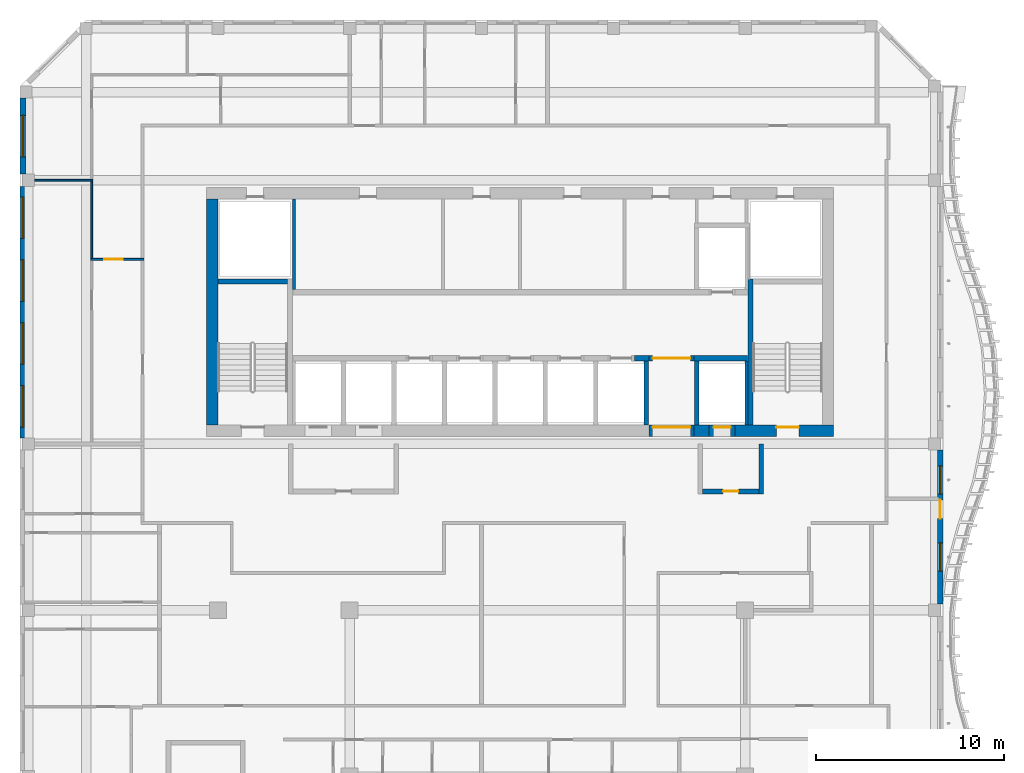
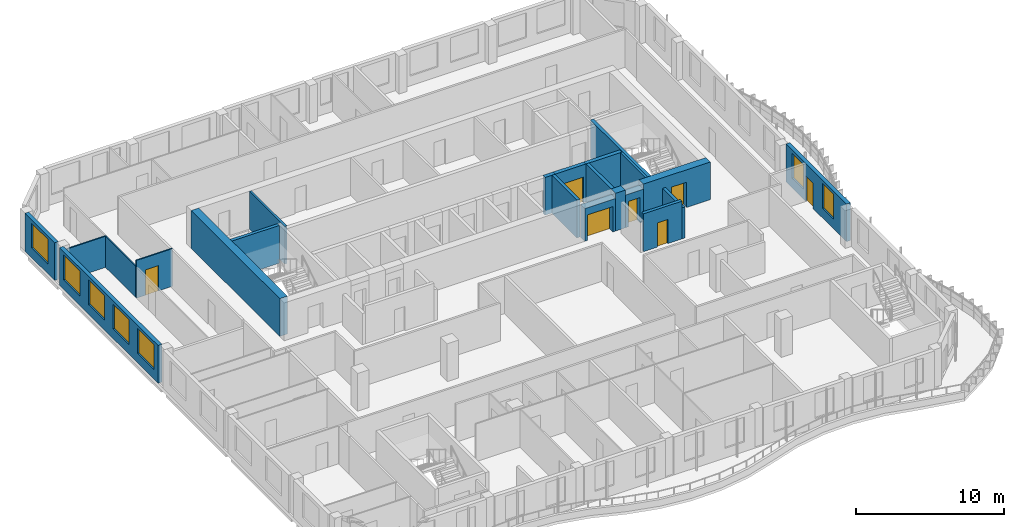
# One storey, part 6 of 18: 22 walls, 7 doors, 7 windows, 14 openings.
"""IFC4 building model written with IfcOpenShell, lengths in metres."""

import ifcopenshell
import ifcopenshell.guid

model = None  # the IFC model being written
_history = None  # IfcOwnerHistory: only IFC2X3 demands one
_inside = {}  # id of a spatial element -> (the spatial element, [elements in it])
_under = {}  # id of a project, library or spatial element -> (it, [spatial elements below it])
_declared = {}  # id of a project -> (the project, [libraries it declares])
_typed = {}  # id of a type object -> (the type object, [elements of that type])
_made_of = {}  # id of a material, layer set ... -> (it, [elements and type objects made of it])


def new_model(schema):
    """Start an empty IFC model of exactly this schema.

    Asked for "IFC4X3", IfcOpenShell would pick the latest addendum, in which some entities
    have other attributes; the version numbers below select the first issue.
    IFC2X3 requires an IfcOwnerHistory on every rooted entity: one is made here for all.
    """
    global model, _history
    if schema == "IFC4X3":
        model = ifcopenshell.file(schema_version=(4, 3, 0, 0))
    else:
        model = ifcopenshell.file(schema=schema)
    _inside.clear()
    _under.clear()
    _declared.clear()
    _typed.clear()
    _made_of.clear()
    _history = None
    if model.schema == "IFC2X3":
        org = make("IfcOrganization", Name="unknown")
        user = make(
            "IfcPersonAndOrganization",
            ThePerson=make("IfcPerson", FamilyName="unknown"),
            TheOrganization=org,
        )
        app = make(
            "IfcApplication",
            ApplicationDeveloper=org,
            Version="unknown",
            ApplicationFullName="unknown",
            ApplicationIdentifier="unknown",
        )
        _history = make(
            "IfcOwnerHistory",
            OwningUser=user,
            OwningApplication=app,
            ChangeAction="ADDED",
            CreationDate=0,
        )
    return model


def make(cls, **values):
    """One entity of the class cls with the attributes given. An attribute that is None is left unset."""
    return model.create_entity(
        cls, **{name: value for name, value in values.items() if value is not None}
    )


def rooted(cls, **values):
    """An entity with a GlobalId (a new one), such as an element, a storey or a relation."""
    return make(cls, GlobalId=ifcopenshell.guid.new(), OwnerHistory=_history, **values)


def si_unit(unit_type, name, prefix=None):
    """IfcSIUnit, for example si_unit("LENGTHUNIT", "METRE", prefix="MILLI")."""
    return make("IfcSIUnit", UnitType=unit_type, Prefix=prefix, Name=name)


def assignment(units):
    """IfcUnitAssignment: the units of a project."""
    return None if units is None else make("IfcUnitAssignment", Units=units)


def point(xyz):
    """IfcCartesianPoint."""
    return None if xyz is None else make("IfcCartesianPoint", Coordinates=xyz)


def direction(xyz):
    """IfcDirection."""
    return None if xyz is None else make("IfcDirection", DirectionRatios=xyz)


def frame(location, z_axis=None, x_axis=None):
    """IfcAxis2Placement3D, a coordinate frame: its origin and axes. An axis left out is left unset."""
    return make(
        "IfcAxis2Placement3D",
        Location=point(location),
        Axis=direction(z_axis),
        RefDirection=direction(x_axis),
    )


def frame_2d(location, x_axis=None):
    """IfcAxis2Placement2D, a coordinate frame in the plane: its origin and x axis."""
    return make(
        "IfcAxis2Placement2D", Location=point(location), RefDirection=direction(x_axis)
    )


def origin():
    """The frame at (0, 0, 0) with its axes left unset."""
    return frame((0.0, 0.0, 0.0))


def place(relative_to, where):
    """IfcLocalPlacement: puts the frame where relative to a parent placement (None: the world)."""
    return make(
        "IfcLocalPlacement", PlacementRelTo=relative_to, RelativePlacement=where
    )


def context(
    kind, dimensions, precision=None, world=None, true_north=None, identifier=None
):
    """IfcGeometricRepresentationContext, for example the 3D "Model" context."""
    return make(
        "IfcGeometricRepresentationContext",
        ContextIdentifier=identifier,
        ContextType=kind,
        CoordinateSpaceDimension=dimensions,
        Precision=precision,
        WorldCoordinateSystem=world,
        TrueNorth=true_north,
    )


def subcontext(parent, identifier, kind, view, scale=None):
    """IfcGeometricRepresentationSubContext, for example "Body" below "Model"."""
    return make(
        "IfcGeometricRepresentationSubContext",
        ContextIdentifier=identifier,
        ContextType=kind,
        ParentContext=parent,
        TargetScale=scale,
        TargetView=view,
    )


def project(units=None, contexts=None):
    """IfcProject with its units and contexts."""
    return rooted(
        "IfcProject",
        Name="project",
        RepresentationContexts=contexts,
        UnitsInContext=assignment(units),
    )


def spatial(cls, under=None, at=None, **own):
    """A site, building, storey or space (cls), placed at a placement, below another one or the project."""
    s = rooted(cls, ObjectPlacement=at, **own)
    if under is not None:
        _under.setdefault(under.id(), (under, []))[1].append(s)
    return s


def profile(cls, at=None, kind="AREA", **sizes):
    """A parametric profile (cls). Its sizes go by their IFC names, for example OverallWidth=200.0."""
    return make(cls, ProfileType=kind, Position=at, **sizes)


def rectangle(**sizes):
    """IfcRectangleProfileDef."""
    return profile("IfcRectangleProfileDef", **sizes)


def extrude(swept, where, along, depth):
    """IfcExtrudedAreaSolid: the profile swept, set in the frame where, extruded along a direction by depth."""
    return make(
        "IfcExtrudedAreaSolid",
        SweptArea=swept,
        Position=where,
        ExtrudedDirection=direction(along),
        Depth=depth,
    )


def shape(context_of_items, identifier, shape_type, items):
    """IfcShapeRepresentation: the items that make up one representation, for example the "Body"."""
    return make(
        "IfcShapeRepresentation",
        ContextOfItems=context_of_items,
        RepresentationIdentifier=identifier,
        RepresentationType=shape_type,
        Items=items,
    )


def source(mapping_origin, context_of_items, identifier, shape_type, items):
    """IfcRepresentationMap: a shape defined once, which mapped items show again and again."""
    return make(
        "IfcRepresentationMap",
        MappingOrigin=mapping_origin,
        MappedRepresentation=shape(context_of_items, identifier, shape_type, items),
    )


def transform(
    local_origin,
    x_axis=None,
    y_axis=None,
    z_axis=None,
    scale=None,
    scale2=None,
    scale3=None,
    uniform=True,
):
    """IfcCartesianTransformationOperator3D, or its non-uniform kind. x_axis, y_axis, z_axis: its Axis1, 2, 3."""
    if uniform:
        return make(
            "IfcCartesianTransformationOperator3D",
            Axis1=direction(x_axis),
            Axis2=direction(y_axis),
            LocalOrigin=point(local_origin),
            Scale=scale,
            Axis3=direction(z_axis),
        )
    return make(
        "IfcCartesianTransformationOperator3DnonUniform",
        Axis1=direction(x_axis),
        Axis2=direction(y_axis),
        LocalOrigin=point(local_origin),
        Scale=scale,
        Axis3=direction(z_axis),
        Scale2=scale2,
        Scale3=scale3,
    )


def mapped(mapping_source, mapping_target):
    """IfcMappedItem: shows the shape of a source again, moved by a transform."""
    return make(
        "IfcMappedItem", MappingSource=mapping_source, MappingTarget=mapping_target
    )


def material(Name=None, Category=None):
    """IfcMaterial."""
    return make("IfcMaterial", Name=Name, Category=Category)


def layer(
    of_material, thickness, ventilated=None, Name=None, Category=None, Priority=None
):
    """IfcMaterialLayer: one layer of a wall or slab, of a material (None: an air gap)."""
    return make(
        "IfcMaterialLayer",
        Material=of_material,
        LayerThickness=thickness,
        IsVentilated=ventilated,
        Name=Name,
        Category=Category,
        Priority=Priority,
    )


def layer_set(layers, Name=None):
    """IfcMaterialLayerSet."""
    return make("IfcMaterialLayerSet", MaterialLayers=layers, LayerSetName=Name)


def made_of(thing, what):
    """Note that an element or type object is made of a material, layer set ...; save() writes the relation."""
    if what is not None:
        _made_of.setdefault(what.id(), (what, []))[1].append(thing)
    return thing


def type_object(cls, material=None, **own):
    """A type object (cls), such as IfcWallType, which elements share."""
    return made_of(rooted(cls, **own), material)


def element(
    cls,
    number,
    at=None,
    inside=None,
    cuts=None,
    type_object=None,
    material=None,
    context=None,
    identifier="Body",
    shape_type=None,
    held_by="IfcProductDefinitionShape",
    body=None,
    shapes=None,
    **own,
):
    """One element of the class cls, such as IfcWall. Its Tag is "e" and its number.

    at: its placement. inside: the storey or other place that contains it. cuts: it is an
    opening in that element (IfcRelVoidsElement). A single representation is given by context,
    identifier, shape_type and body (its items); several are given by shapes. held_by: the class
    of the entity that holds the representations. save() writes the other relations.
    """
    e = rooted(cls, Tag="e%d" % number, ObjectPlacement=at, **own)
    if body is not None:
        shapes = [shape(context, identifier, shape_type, body)]
    if shapes is not None:
        e.Representation = make(held_by, Representations=shapes)
    if inside is not None:
        _inside.setdefault(inside.id(), (inside, []))[1].append(e)
    if cuts is not None:
        rooted(
            "IfcRelVoidsElement", RelatingBuildingElement=cuts, RelatedOpeningElement=e
        )
    if type_object is not None:
        _typed.setdefault(type_object.id(), (type_object, []))[1].append(e)
    return made_of(e, material)


def fill(opening, filler):
    """IfcRelFillsElement: the door or window that sits in an opening."""
    return rooted(
        "IfcRelFillsElement",
        RelatingOpeningElement=opening,
        RelatedBuildingElement=filler,
    )


def aggregate(whole, parts):
    """IfcRelAggregates: a whole, such as a stair, and the parts it consists of."""
    return rooted("IfcRelAggregates", RelatingObject=whole, RelatedObjects=parts)


def save(model, path):
    """Write the relations noted so far, then the file.

    IfcRelAggregates (storeys below a building ...), IfcRelContainedInSpatialStructure (elements
    in a storey), IfcRelDefinesByType, IfcRelAssociatesMaterial and IfcRelDeclares: one each for
    every whole, place, type object, material and project.
    """
    for whole, parts in _under.values():
        aggregate(whole, parts)
    for where, things in _inside.values():
        rooted(
            "IfcRelContainedInSpatialStructure",
            RelatedElements=things,
            RelatingStructure=where,
        )
    for kind, things in _typed.values():
        rooted("IfcRelDefinesByType", RelatedObjects=things, RelatingType=kind)
    for what, things in _made_of.values():
        rooted("IfcRelAssociatesMaterial", RelatedObjects=things, RelatingMaterial=what)
    for by, libraries in _declared.values():
        rooted("IfcRelDeclares", RelatingContext=by, RelatedDefinitions=libraries)
    model.write(path)


model = new_model("IFC4")

# Units and contexts
model_context = context("Model", 3, precision=1e-05, world=origin(), true_north=direction((0.0, 1.0)))
body_context = subcontext(model_context, "Body", "Model", "MODEL_VIEW")
ifc_project = project(units=[si_unit("LENGTHUNIT", "METRE"), si_unit("AREAUNIT", "SQUARE_METRE"), si_unit("VOLUMEUNIT", "CUBIC_METRE"), si_unit("PLANEANGLEUNIT", "RADIAN"), si_unit("MASSUNIT", "GRAM", prefix="KILO")], contexts=[model_context])

# Site, building, storey
site_placement = place(None, origin())
site = spatial("IfcSite", under=ifc_project, at=site_placement, CompositionType="ELEMENT")
building_placement = place(site_placement, origin())
building = spatial("IfcBuilding", under=site, at=building_placement, Name="Kilnfold Tower and Market Hall", CompositionType="ELEMENT")
storey_placement = place(building_placement, frame((0.0, 0.0, 280.60009765625)))
storey = spatial("IfcBuildingStorey", under=building, at=storey_placement, Name="L69", CompositionType="ELEMENT", Elevation=280.60009765625)

# Wall, opening, door
ifc_material_1 = material(Name="Gypsum board on steel studs", Category="steel")
ifc_layer_1 = layer(ifc_material_1, 0.10009765625)
ifc_layer_set_1 = layer_set([ifc_layer_1], Name="Gypsum board on steel studs")
wall_type_1 = type_object("IfcWallType", Name="WALL PARTITION 100", PredefinedType="PARTITIONING", material=ifc_layer_set_1)
wall_1_placement = place(storey_placement, frame((-18.927001953125, 17.800048828125, 0.0), z_axis=(0.0, 0.0, 1.0), x_axis=(-1.0, 0.0, 0.0)))
wall_1 = element("IfcWall", 1, at=wall_1_placement, inside=storey, type_object=wall_type_1, Name="Partition LY42.71", PredefinedType="PARTITIONING", context=body_context, shape_type="SweptSolid", body=[
    extrude(rectangle(XDim=2.822998046875, YDim=0.10009765625, at=frame_2d((1.41162109375, 0.0))), origin(), (0.0, 0.0, 1.0), 3.119873046875),
])
opening_1_placement = place(wall_1_placement, frame((1.114990234375, 0.0, 0.0)))
opening_1 = element("IfcOpeningElement", 2, at=opening_1_placement, cuts=wall_1, Name="Opening D1", PredefinedType="OPENING", context=body_context, shape_type="SweptSolid", body=[
    extrude(rectangle(XDim=1.0, YDim=2.10009765625, at=frame_2d((0.5, 1.050048828125))), frame((0.0, 0.06005859375, 0.0), z_axis=(0.0, -1.0, 0.0), x_axis=(1.0, 0.0, 0.0)), (0.0, 0.0, 1.0), 0.1201171875),
])
ifc_material_2 = material(Name="Timber veneer door leaf in steel frame", Category="steel")
door_type_1 = type_object("IfcDoorType", Name="DOOR ENTRY 1000 X2100", OperationType="NOTDEFINED", PredefinedType="DOOR", material=ifc_material_2)
door_1_placement = place(opening_1_placement, origin())
door_1 = element("IfcDoor", 3, at=door_1_placement, inside=storey, type_object=door_type_1, Name="Door D1", OperationType="SINGLE_SWING_RIGHT", OverallHeight=2.10009765625, OverallWidth=1.0, PredefinedType="DOOR", context=body_context, shape_type="SweptSolid", body=[
    extrude(rectangle(XDim=1.0, YDim=2.10009765625, at=frame_2d((0.5, 1.050048828125))), frame((0.0, 0.02490234375, 0.0), z_axis=(0.0, -1.0, 0.0), x_axis=(1.0, 0.0, 0.0)), (0.0, 0.0, 1.0), 0.050048828125),
])
fill(opening_1, door_1)

# Walls
wall_2_placement = place(storey_placement, frame((-21.699951171875, 17.85009765625, 0.0), z_axis=(0.0, 0.0, 1.0), x_axis=(0.0, 1.0, 0.0)))
element("IfcWall", 4, at=wall_2_placement, inside=storey, type_object=wall_type_1, Name="Partition LY42.74", PredefinedType="PARTITIONING", context=body_context, shape_type="SweptSolid", body=[
    extrude(rectangle(XDim=4.10986328125, YDim=0.10009765625, at=frame_2d((2.054931640625, 0.0))), origin(), (0.0, 0.0, 1.0), 2.56982421875),
])
wall_3_placement = place(storey_placement, frame((-21.652099609375, 22.0, 0.0), z_axis=(0.0, 0.0, 1.0), x_axis=(-1.0, 0.0, 0.0)))
element("IfcWall", 5, at=wall_3_placement, inside=storey, type_object=wall_type_1, Name="Partition LY42.77", PredefinedType="PARTITIONING", context=body_context, shape_type="SweptSolid", body=[
    extrude(rectangle(XDim=3.072998046875, YDim=0.10009765625, at=frame_2d((1.53662109375, 0.0))), origin(), (0.0, 0.0, 1.0), 2.56982421875),
])
ifc_material_3 = material(Name="Concrete C50", Category="concrete")
ifc_layer_2 = layer(ifc_material_3, 0.25)
ifc_layer_set_2 = layer_set([ifc_layer_2], Name="Concrete C50")
wall_type_2 = type_object("IfcWallType", Name="CORE WALL 250 C50", PredefinedType="SHEAR", material=ifc_layer_set_2)
shared_shape_1 = source(origin(), body_context, "Body", "SweptSolid", [
    extrude(rectangle(XDim=7.75, YDim=0.25, at=frame_2d((3.875, 0.0))), origin(), (0.0, 0.0, 1.0), 3.119873046875),
])
wall_4_placement = place(storey_placement, frame((13.27490234375, 9.0, 0.0), z_axis=(0.0, 0.0, 1.0), x_axis=(0.0, 1.0, 0.0)))
element("IfcWall", 6, at=wall_4_placement, inside=storey, type_object=wall_type_2, Name="Stair enclosure ST2", PredefinedType="SHEAR", context=body_context, shape_type="MappedRepresentation", body=[
    mapped(shared_shape_1, transform((0.0, 0.0, 0.0))),
])
shared_shape_2 = source(origin(), body_context, "Body", "SweptSolid", [
    extrude(rectangle(XDim=3.699951171875, YDim=0.25, at=frame_2d((1.85009765625, 0.0))), origin(), (0.0, 0.0, 1.0), 3.119873046875),
])
wall_5_placement = place(storey_placement, frame((-15.0, 16.625, 0.0), z_axis=(0.0, 0.0, 1.0), x_axis=(1.0, 0.0, 0.0)))
element("IfcWall", 7, at=wall_5_placement, inside=storey, type_object=wall_type_2, Name="Stair enclosure ST1", PredefinedType="SHEAR", context=body_context, shape_type="MappedRepresentation", body=[
    mapped(shared_shape_2, transform((0.0, 0.0, 0.0))),
])
ifc_material_4 = material(Name="Concrete C50", Category="concrete")
ifc_layer_3 = layer(ifc_material_4, 0.300048828125)
ifc_layer_set_3 = layer_set([ifc_layer_3], Name="Concrete C50")
wall_type_3 = type_object("IfcWallType", Name="CORE WALL 300 C50", PredefinedType="SHEAR", material=ifc_layer_set_3)
shared_shape_3 = source(origin(), body_context, "Body", "SweptSolid", [
    extrude(rectangle(XDim=0.77978515625, YDim=0.300048828125, at=frame_2d((0.389892578125, 0.0))), origin(), (0.0, 0.0, 1.0), 3.119873046875),
])
wall_6_placement = place(storey_placement, frame((7.110107421875, 12.550048828125, 0.0), z_axis=(0.0, 0.0, 1.0), x_axis=(1.0, 0.0, 0.0)))
element("IfcWall", 8, at=wall_6_placement, inside=storey, type_object=wall_type_3, Name="Core spine wall", PredefinedType="SHEAR", context=body_context, shape_type="MappedRepresentation", body=[
    mapped(shared_shape_3, transform((0.0, 0.0, 0.0))),
])
shared_shape_4 = source(origin(), body_context, "Body", "SweptSolid", [
    extrude(rectangle(XDim=2.820068359375, YDim=0.300048828125, at=frame_2d((1.41015625, 0.0))), origin(), (0.0, 0.0, 1.0), 3.119873046875),
])
wall_7_placement = place(storey_placement, frame((10.2900390625, 12.550048828125, 0.0), z_axis=(0.0, 0.0, 1.0), x_axis=(1.0, 0.0, 0.0)))
element("IfcWall", 9, at=wall_7_placement, inside=storey, type_object=wall_type_3, Name="Core spine wall", PredefinedType="SHEAR", context=body_context, shape_type="MappedRepresentation", body=[
    mapped(shared_shape_4, transform((0.0, 0.0, 0.0))),
])

# Wall, opening, door
ifc_material_5 = material(Name="Concrete C50", Category="concrete")
ifc_layer_4 = layer(ifc_material_5, 0.60009765625)
ifc_layer_set_4 = layer_set([ifc_layer_4], Name="Concrete C50")
wall_type_4 = type_object("IfcWallType", Name="CORE WALL 600 C50", PredefinedType="SHEAR", material=ifc_layer_set_4)
shared_shape_5 = source(origin(), body_context, "Body", "SweptSolid", [
    extrude(rectangle(XDim=5.22998046875, YDim=0.60009765625, at=frame_2d((2.614990234375, 0.0))), origin(), (0.0, 0.0, 1.0), 3.119873046875),
])
wall_8_placement = place(storey_placement, frame((12.469970703125, 8.699951171875, 0.0), z_axis=(0.0, 0.0, 1.0), x_axis=(1.0, 0.0, 0.0)))
wall_8 = element("IfcWall", 10, at=wall_8_placement, inside=storey, type_object=wall_type_4, Name="Core outer wall south", PredefinedType="SHEAR", context=body_context, shape_type="MappedRepresentation", body=[
    mapped(shared_shape_5, transform((0.0, 0.0, 0.0))),
])
opening_2_placement = place(wall_8_placement, frame((2.179931640625, 0.0, 0.0)))
opening_2 = element("IfcOpeningElement", 11, at=opening_2_placement, cuts=wall_8, Name="Opening SD1", PredefinedType="OPENING", context=body_context, shape_type="SweptSolid", body=[
    extrude(rectangle(XDim=1.199951171875, YDim=2.10009765625, at=frame_2d((0.60009765625, 1.050048828125))), frame((0.0, 0.31005859375, 0.0), z_axis=(0.0, -1.0, 0.0), x_axis=(1.0, 0.0, 0.0)), (0.0, 0.0, 1.0), 0.6201171875),
])
ifc_material_6 = material(Name="Steel door set with fire-resisting leaf", Category="steel")
door_type_2 = type_object("IfcDoorType", Name="STAIR FLOOR DOOR 1200X2100", OperationType="NOTDEFINED", PredefinedType="DOOR", material=ifc_material_6)
door_2_placement = place(opening_2_placement, origin())
door_2 = element("IfcDoor", 12, at=door_2_placement, inside=storey, type_object=door_type_2, Name="Exit stair ST2 door", OperationType="DOUBLE_DOOR_SINGLE_SWING", OverallHeight=2.10009765625, OverallWidth=1.199951171875, PredefinedType="DOOR", context=body_context, shape_type="SweptSolid", body=[
    extrude(rectangle(XDim=1.199951171875, YDim=2.10009765625, at=frame_2d((0.60009765625, 1.050048828125))), frame((0.0, 0.205078125, 0.0), z_axis=(0.0, -1.0, 0.0), x_axis=(1.0, 0.0, 0.0)), (0.0, 0.0, 1.0), 0.050048828125),
])
fill(opening_2, door_2)

# Walls
shared_shape_6 = source(origin(), body_context, "Body", "SweptSolid", [
    extrude(rectangle(XDim=0.780029296875, YDim=0.60009765625, at=frame_2d((0.39013671875, 0.0))), origin(), (0.0, 0.0, 1.0), 3.119873046875),
])
wall_9_placement = place(storey_placement, frame((10.2900390625, 8.699951171875, 0.0), z_axis=(0.0, 0.0, 1.0), x_axis=(1.0, 0.0, 0.0)))
element("IfcWall", 13, at=wall_9_placement, inside=storey, type_object=wall_type_4, Name="Core outer wall south", PredefinedType="SHEAR", context=body_context, shape_type="MappedRepresentation", body=[
    mapped(shared_shape_6, transform((0.0, 0.0, 0.0))),
])
shared_shape_7 = source(origin(), body_context, "Body", "SweptSolid", [
    extrude(rectangle(XDim=12.0, YDim=0.60009765625, at=frame_2d((6.0, 0.0))), origin(), (0.0, 0.0, 1.0), 3.119873046875),
])
wall_10_placement = place(storey_placement, frame((-15.300048828125, 9.0, 0.0), z_axis=(0.0, 0.0, 1.0), x_axis=(0.0, 1.0, 0.0)))
element("IfcWall", 14, at=wall_10_placement, inside=storey, type_object=wall_type_4, Name="Core outer wall west", PredefinedType="SHEAR", context=body_context, shape_type="MappedRepresentation", body=[
    mapped(shared_shape_7, transform((0.0, 0.0, 0.0))),
])

# Wall, openings, door, windows
ifc_material_7 = material(Name="Precast concrete C50/60", Category="concrete")
ifc_layer_5 = layer(ifc_material_7, 0.300048828125)
ifc_layer_set_5 = layer_set([ifc_layer_5], Name="Precast concrete C50/60")
wall_type_5 = type_object("IfcWallType", Name="PRECAST WALL 300", PredefinedType="SOLIDWALL", material=ifc_layer_set_5)
shared_shape_8 = source(origin(), body_context, "Body", "SweptSolid", [
    extrude(rectangle(XDim=8.183349609375, YDim=0.300048828125, at=frame_2d((4.091796875, 0.0))), origin(), (0.0, 0.0, 1.0), 3.119873046875),
])
wall_11_placement = place(storey_placement, frame((23.35009765625, -0.50830078125, 0.0), z_axis=(0.0, 0.0, 1.0), x_axis=(0.0, 1.0, 0.0)))
wall_11 = element("IfcWall", 15, at=wall_11_placement, inside=storey, type_object=wall_type_5, Name="External wall L69 E", PredefinedType="SOLIDWALL", context=body_context, shape_type="MappedRepresentation", body=[
    mapped(shared_shape_8, transform((0.0, 0.0, 0.0))),
])
opening_3_placement = place(wall_11_placement, frame((1.75, 0.0, 0.800048828125)))
opening_3 = element("IfcOpeningElement", 16, at=opening_3_placement, cuts=wall_11, Name="Opening W5", PredefinedType="OPENING", context=body_context, shape_type="SweptSolid", body=[
    extrude(rectangle(XDim=1.5, YDim=2.050048828125, at=frame_2d((0.75, 1.02490234375))), frame((0.0, 0.16015625, 0.0), z_axis=(0.0, -1.0, 0.0), x_axis=(1.0, 0.0, 0.0)), (0.0, 0.0, 1.0), 0.320068359375),
])
opening_4_placement = place(wall_11_placement, frame((5.841552734375, 0.0, 0.800048828125)))
opening_4 = element("IfcOpeningElement", 17, at=opening_4_placement, cuts=wall_11, Name="Opening W5", PredefinedType="OPENING", context=body_context, shape_type="SweptSolid", body=[
    extrude(rectangle(XDim=1.5, YDim=2.050048828125, at=frame_2d((0.75, 1.02490234375))), frame((0.0, 0.16015625, 0.0), z_axis=(0.0, -1.0, 0.0), x_axis=(1.0, 0.0, 0.0)), (0.0, 0.0, 1.0), 0.320068359375),
])
opening_5_placement = place(wall_11_placement, frame((4.54150390625, 0.0, 0.0)))
opening_5 = element("IfcOpeningElement", 18, at=opening_5_placement, cuts=wall_11, Name="Opening BD1", PredefinedType="OPENING", context=body_context, shape_type="SweptSolid", body=[
    extrude(rectangle(XDim=1.0, YDim=2.10009765625, at=frame_2d((0.5, 1.050048828125))), frame((0.0, 0.16015625, 0.0), z_axis=(0.0, -1.0, 0.0), x_axis=(1.0, 0.0, 0.0)), (0.0, 0.0, 1.0), 0.320068359375),
])
ifc_material_8 = material(Name="Aluminium frame and double glazing", Category="aluminium")
door_type_3 = type_object("IfcDoorType", Name="BALCONY DOOR 1000X2100", OperationType="NOTDEFINED", PredefinedType="DOOR", material=ifc_material_8)
door_3_placement = place(opening_5_placement, origin())
door_3 = element("IfcDoor", 19, at=door_3_placement, inside=storey, type_object=door_type_3, Name="Balcony door BD1 L69 E-2", OperationType="SINGLE_SWING_RIGHT", OverallHeight=2.10009765625, OverallWidth=1.0, PredefinedType="DOOR", context=body_context, shape_type="SweptSolid", body=[
    extrude(rectangle(XDim=1.0, YDim=2.10009765625, at=frame_2d((0.5, 1.050048828125))), frame((0.0, 0.02490234375, 0.0), z_axis=(0.0, -1.0, 0.0), x_axis=(1.0, 0.0, 0.0)), (0.0, 0.0, 1.0), 0.050048828125),
])
fill(opening_5, door_3)
ifc_material_9 = material(Name="Aluminium frame and double glazing", Category="aluminium")
window_type_1 = type_object("IfcWindowType", Name="WINDOW W5 1500X2050", PartitioningType="SINGLE_PANEL", PredefinedType="WINDOW", material=ifc_material_9)
window_1_placement = place(opening_3_placement, origin())
window_1 = element("IfcWindow", 20, at=window_1_placement, inside=storey, type_object=window_type_1, Name="Window W5 L69 E-1", OverallHeight=2.050048828125, OverallWidth=1.5, PartitioningType="SINGLE_PANEL", PredefinedType="WINDOW", context=body_context, shape_type="SweptSolid", body=[
    extrude(rectangle(XDim=1.5, YDim=2.050048828125, at=frame_2d((0.75, 1.02490234375))), frame((0.0, 0.030029296875, 0.0), z_axis=(0.0, -1.0, 0.0), x_axis=(1.0, 0.0, 0.0)), (0.0, 0.0, 1.0), 0.06005859375),
])
fill(opening_3, window_1)
window_2_placement = place(opening_4_placement, origin())
window_2 = element("IfcWindow", 21, at=window_2_placement, inside=storey, type_object=window_type_1, Name="Window W5 L69 E-2", OverallHeight=2.050048828125, OverallWidth=1.5, PartitioningType="SINGLE_PANEL", PredefinedType="WINDOW", context=body_context, shape_type="SweptSolid", body=[
    extrude(rectangle(XDim=1.5, YDim=2.050048828125, at=frame_2d((0.75, 1.02490234375))), frame((0.0, 0.030029296875, 0.0), z_axis=(0.0, -1.0, 0.0), x_axis=(1.0, 0.0, 0.0)), (0.0, 0.0, 1.0), 0.06005859375),
])
fill(opening_4, window_2)

# Wall, openings, windows
shared_shape_9 = source(origin(), body_context, "Body", "SweptSolid", [
    extrude(rectangle(XDim=13.35009765625, YDim=0.300048828125, at=frame_2d((6.675048828125, 0.0))), origin(), (0.0, 0.0, 1.0), 3.119873046875),
])
wall_12_placement = place(storey_placement, frame((-25.35009765625, 21.675048828125, 0.0), z_axis=(0.0, 0.0, 1.0), x_axis=(0.0, -1.0, 0.0)))
wall_12 = element("IfcWall", 22, at=wall_12_placement, inside=storey, type_object=wall_type_5, Name="External wall L69 W", PredefinedType="SOLIDWALL", context=body_context, shape_type="MappedRepresentation", body=[
    mapped(shared_shape_9, transform((0.0, 0.0, 0.0))),
])
opening_6_placement = place(wall_12_placement, frame((0.56884765625, 0.0, 0.800048828125)))
opening_6 = element("IfcOpeningElement", 23, at=opening_6_placement, cuts=wall_12, Name="Opening W3", PredefinedType="OPENING", context=body_context, shape_type="SweptSolid", body=[
    extrude(rectangle(XDim=2.199951171875, YDim=2.050048828125, at=frame_2d((1.10009765625, 1.02490234375))), frame((0.0, 0.16015625, 0.0), z_axis=(0.0, -1.0, 0.0), x_axis=(1.0, 0.0, 0.0)), (0.0, 0.0, 1.0), 0.320068359375),
])
opening_7_placement = place(wall_12_placement, frame((3.90625, 0.0, 0.800048828125)))
opening_7 = element("IfcOpeningElement", 24, at=opening_7_placement, cuts=wall_12, Name="Opening W3", PredefinedType="OPENING", context=body_context, shape_type="SweptSolid", body=[
    extrude(rectangle(XDim=2.199951171875, YDim=2.050048828125, at=frame_2d((1.10009765625, 1.02490234375))), frame((0.0, 0.16015625, 0.0), z_axis=(0.0, -1.0, 0.0), x_axis=(1.0, 0.0, 0.0)), (0.0, 0.0, 1.0), 0.320068359375),
])
opening_8_placement = place(wall_12_placement, frame((7.243896484375, 0.0, 0.800048828125)))
opening_8 = element("IfcOpeningElement", 25, at=opening_8_placement, cuts=wall_12, Name="Opening W3", PredefinedType="OPENING", context=body_context, shape_type="SweptSolid", body=[
    extrude(rectangle(XDim=2.199951171875, YDim=2.050048828125, at=frame_2d((1.10009765625, 1.02490234375))), frame((0.0, 0.16015625, 0.0), z_axis=(0.0, -1.0, 0.0), x_axis=(1.0, 0.0, 0.0)), (0.0, 0.0, 1.0), 0.320068359375),
])
opening_9_placement = place(wall_12_placement, frame((10.581298828125, 0.0, 0.800048828125)))
opening_9 = element("IfcOpeningElement", 26, at=opening_9_placement, cuts=wall_12, Name="Opening W3", PredefinedType="OPENING", context=body_context, shape_type="SweptSolid", body=[
    extrude(rectangle(XDim=2.199951171875, YDim=2.050048828125, at=frame_2d((1.10009765625, 1.02490234375))), frame((0.0, 0.16015625, 0.0), z_axis=(0.0, -1.0, 0.0), x_axis=(1.0, 0.0, 0.0)), (0.0, 0.0, 1.0), 0.320068359375),
])
ifc_material_10 = material(Name="Aluminium frame and double glazing", Category="aluminium")
window_type_2 = type_object("IfcWindowType", Name="WINDOW W3 2200X2050", PartitioningType="SINGLE_PANEL", PredefinedType="WINDOW", material=ifc_material_10)
window_3_placement = place(opening_6_placement, origin())
window_3 = element("IfcWindow", 27, at=window_3_placement, inside=storey, type_object=window_type_2, Name="Window W3 L69 W-1", OverallHeight=2.050048828125, OverallWidth=2.199951171875, PartitioningType="SINGLE_PANEL", PredefinedType="WINDOW", context=body_context, shape_type="SweptSolid", body=[
    extrude(rectangle(XDim=2.199951171875, YDim=2.050048828125, at=frame_2d((1.10009765625, 1.02490234375))), frame((0.0, 0.030029296875, 0.0), z_axis=(0.0, -1.0, 0.0), x_axis=(1.0, 0.0, 0.0)), (0.0, 0.0, 1.0), 0.06005859375),
])
fill(opening_6, window_3)
window_4_placement = place(opening_7_placement, origin())
window_4 = element("IfcWindow", 28, at=window_4_placement, inside=storey, type_object=window_type_2, Name="Window W3 L69 W-2", OverallHeight=2.050048828125, OverallWidth=2.199951171875, PartitioningType="SINGLE_PANEL", PredefinedType="WINDOW", context=body_context, shape_type="SweptSolid", body=[
    extrude(rectangle(XDim=2.199951171875, YDim=2.050048828125, at=frame_2d((1.10009765625, 1.02490234375))), frame((0.0, 0.030029296875, 0.0), z_axis=(0.0, -1.0, 0.0), x_axis=(1.0, 0.0, 0.0)), (0.0, 0.0, 1.0), 0.06005859375),
])
fill(opening_7, window_4)
window_5_placement = place(opening_8_placement, origin())
window_5 = element("IfcWindow", 29, at=window_5_placement, inside=storey, type_object=window_type_2, Name="Window W3 L69 W-3", OverallHeight=2.050048828125, OverallWidth=2.199951171875, PartitioningType="SINGLE_PANEL", PredefinedType="WINDOW", context=body_context, shape_type="SweptSolid", body=[
    extrude(rectangle(XDim=2.199951171875, YDim=2.050048828125, at=frame_2d((1.10009765625, 1.02490234375))), frame((0.0, 0.030029296875, 0.0), z_axis=(0.0, -1.0, 0.0), x_axis=(1.0, 0.0, 0.0)), (0.0, 0.0, 1.0), 0.06005859375),
])
fill(opening_8, window_5)
window_6_placement = place(opening_9_placement, origin())
window_6 = element("IfcWindow", 30, at=window_6_placement, inside=storey, type_object=window_type_2, Name="Window W3 L69 W-4", OverallHeight=2.050048828125, OverallWidth=2.199951171875, PartitioningType="SINGLE_PANEL", PredefinedType="WINDOW", context=body_context, shape_type="SweptSolid", body=[
    extrude(rectangle(XDim=2.199951171875, YDim=2.050048828125, at=frame_2d((1.10009765625, 1.02490234375))), frame((0.0, 0.030029296875, 0.0), z_axis=(0.0, -1.0, 0.0), x_axis=(1.0, 0.0, 0.0)), (0.0, 0.0, 1.0), 0.06005859375),
])
fill(opening_9, window_6)

# Wall, opening, window
shared_shape_10 = source(origin(), body_context, "Body", "SweptSolid", [
    extrude(rectangle(XDim=4.03173828125, YDim=0.300048828125, at=frame_2d((2.015869140625, 0.0))), origin(), (0.0, 0.0, 1.0), 3.119873046875),
])
wall_13_placement = place(storey_placement, frame((-25.35009765625, 26.356689453125, 0.0), z_axis=(0.0, 0.0, 1.0), x_axis=(0.0, -1.0, 0.0)))
wall_13 = element("IfcWall", 31, at=wall_13_placement, inside=storey, type_object=wall_type_5, Name="External wall L69 W", PredefinedType="SOLIDWALL", context=body_context, shape_type="MappedRepresentation", body=[
    mapped(shared_shape_10, transform((0.0, 0.0, 0.0))),
])
opening_10_placement = place(wall_13_placement, frame((0.916015625, 0.0, 0.800048828125)))
opening_10 = element("IfcOpeningElement", 32, at=opening_10_placement, cuts=wall_13, Name="Opening W3", PredefinedType="OPENING", context=body_context, shape_type="SweptSolid", body=[
    extrude(rectangle(XDim=2.199951171875, YDim=2.050048828125, at=frame_2d((1.10009765625, 1.02490234375))), frame((0.0, 0.16015625, 0.0), z_axis=(0.0, -1.0, 0.0), x_axis=(1.0, 0.0, 0.0)), (0.0, 0.0, 1.0), 0.320068359375),
])
window_7_placement = place(opening_10_placement, origin())
window_7 = element("IfcWindow", 33, at=window_7_placement, inside=storey, type_object=window_type_2, Name="Window W3 L69 W-1", OverallHeight=2.050048828125, OverallWidth=2.199951171875, PartitioningType="SINGLE_PANEL", PredefinedType="WINDOW", context=body_context, shape_type="SweptSolid", body=[
    extrude(rectangle(XDim=2.199951171875, YDim=2.050048828125, at=frame_2d((1.10009765625, 1.02490234375))), frame((0.0, 0.030029296875, 0.0), z_axis=(0.0, -1.0, 0.0), x_axis=(1.0, 0.0, 0.0)), (0.0, 0.0, 1.0), 0.06005859375),
])
fill(opening_10, window_7)

# Wall, opening, door
ifc_material_11 = material(Name="Gypsum shaft wall system")
ifc_layer_6 = layer(ifc_material_11, 0.300048828125)
ifc_layer_set_6 = layer_set([ifc_layer_6], Name="Gypsum shaft wall system")
wall_type_6 = type_object("IfcWallType", Name="SHAFT WALL 300", PredefinedType="PARTITIONING", material=ifc_layer_set_6)
shared_shape_11 = source(origin(), body_context, "Body", "SweptSolid", [
    extrude(rectangle(XDim=2.400146484375, YDim=0.300048828125, at=frame_2d((1.2001953125, 0.0))), origin(), (0.0, 0.0, 1.0), 3.119873046875),
])
wall_14_placement = place(storey_placement, frame((7.889892578125, 12.550048828125, 0.0), z_axis=(0.0, 0.0, 1.0), x_axis=(1.0, 0.0, 0.0)))
wall_14 = element("IfcWall", 34, at=wall_14_placement, inside=storey, type_object=wall_type_6, Name="Lift shaft front wall", PredefinedType="PARTITIONING", context=body_context, shape_type="MappedRepresentation", body=[
    mapped(shared_shape_11, transform((0.0, 0.0, 0.0))),
])
opening_11_placement = place(wall_14_placement, frame((0.199951171875, 0.0, 0.0)))
opening_11 = element("IfcOpeningElement", 35, at=opening_11_placement, cuts=wall_14, Name="Opening VD2", PredefinedType="OPENING", context=body_context, shape_type="SweptSolid", body=[
    extrude(rectangle(XDim=2.0, YDim=2.10009765625, at=frame_2d((1.0, 1.050048828125))), frame((0.0, 0.16015625, 0.0), z_axis=(0.0, -1.0, 0.0), x_axis=(1.0, 0.0, 0.0)), (0.0, 0.0, 1.0), 0.320068359375),
])
ifc_material_12 = material(Name="Steel door set with fire-resisting leaf", Category="steel")
door_type_4 = type_object("IfcDoorType", Name="LIFT LOBBY ENTRANCE DOOR 2000X2100", OperationType="NOTDEFINED", PredefinedType="DOOR", material=ifc_material_12)
door_4_placement = place(opening_11_placement, origin())
door_4 = element("IfcDoor", 36, at=door_4_placement, inside=storey, type_object=door_type_4, Name="Lift lobby entrance door", OperationType="DOUBLE_DOOR_SINGLE_SWING", OverallHeight=2.10009765625, OverallWidth=2.0, PredefinedType="DOOR", context=body_context, shape_type="SweptSolid", body=[
    extrude(rectangle(XDim=2.0, YDim=2.10009765625, at=frame_2d((1.0, 1.050048828125))), frame((0.0, 0.02490234375, 0.0), z_axis=(0.0, -1.0, 0.0), x_axis=(1.0, 0.0, 0.0)), (0.0, 0.0, 1.0), 0.050048828125),
])
fill(opening_11, door_4)

ifc_material_13 = material(Name="Gypsum shaft wall system")
ifc_layer_7 = layer(ifc_material_13, 0.25)
ifc_layer_set_7 = layer_set([ifc_layer_7], Name="Gypsum shaft wall system")
wall_type_7 = type_object("IfcWallType", Name="LOBBY WALL 250", PredefinedType="PARTITIONING", material=ifc_layer_set_7)
shared_shape_12 = source(origin(), body_context, "Body", "SweptSolid", [
    extrude(rectangle(XDim=3.0, YDim=0.25, at=frame_2d((1.5, 0.0))), origin(), (0.0, 0.0, 1.0), 3.119873046875),
])
wall_15_placement = place(storey_placement, frame((10.72998046875, 5.47509765625, 0.0), z_axis=(0.0, 0.0, 1.0), x_axis=(1.0, 0.0, 0.0)))
wall_15 = element("IfcWall", 37, at=wall_15_placement, inside=storey, type_object=wall_type_7, Name="Firefighting lobby wall", PredefinedType="PARTITIONING", context=body_context, shape_type="MappedRepresentation", body=[
    mapped(shared_shape_12, transform((0.0, 0.0, 0.0))),
])
opening_12_placement = place(wall_15_placement, frame((1.10009765625, 0.0, 0.0)))
opening_12 = element("IfcOpeningElement", 38, at=opening_12_placement, cuts=wall_15, Name="Opening VD1", PredefinedType="OPENING", context=body_context, shape_type="SweptSolid", body=[
    extrude(rectangle(XDim=0.800048828125, YDim=2.0, at=frame_2d((0.39990234375, 1.0))), frame((0.0, 0.135009765625, 0.0), z_axis=(0.0, -1.0, 0.0), x_axis=(1.0, 0.0, 0.0)), (0.0, 0.0, 1.0), 0.27001953125),
])
ifc_material_14 = material(Name="Steel door set with fire-resisting leaf", Category="steel")
door_type_5 = type_object("IfcDoorType", Name="FIREFIGHTING LOBBY DOOR 800X2000", OperationType="NOTDEFINED", PredefinedType="DOOR", material=ifc_material_14)
door_5_placement = place(opening_12_placement, origin())
door_5 = element("IfcDoor", 39, at=door_5_placement, inside=storey, type_object=door_type_5, Name="Firefighting lobby door", OperationType="SINGLE_SWING_RIGHT", OverallHeight=2.0, OverallWidth=0.800048828125, PredefinedType="DOOR", context=body_context, shape_type="SweptSolid", body=[
    extrude(rectangle(XDim=0.800048828125, YDim=2.0, at=frame_2d((0.39990234375, 1.0))), frame((0.0, 0.02490234375, 0.0), z_axis=(0.0, -1.0, 0.0), x_axis=(1.0, 0.0, 0.0)), (0.0, 0.0, 1.0), 0.050048828125),
])
fill(opening_12, door_5)

# Walls
ifc_material_15 = material(Name="Gypsum shaft wall system")
ifc_layer_8 = layer(ifc_material_15, 0.1650390625)
ifc_layer_set_8 = layer_set([ifc_layer_8], Name="Gypsum shaft wall system")
wall_type_8 = type_object("IfcWallType", Name="SHAFT WALL 165", PredefinedType="PARTITIONING", material=ifc_layer_set_8)
shared_shape_13 = source(origin(), body_context, "Body", "SweptSolid", [
    extrude(rectangle(XDim=4.800048828125, YDim=0.1650390625, at=frame_2d((2.39990234375, 0.0))), origin(), (0.0, 0.0, 1.0), 3.119873046875),
])
wall_16_placement = place(storey_placement, frame((-10.967529296875, 16.199951171875, 0.0), z_axis=(0.0, 0.0, 1.0), x_axis=(0.0, 1.0, 0.0)))
element("IfcWall", 40, at=wall_16_placement, inside=storey, type_object=wall_type_8, Name="Lift shaft wall", PredefinedType="PARTITIONING", context=body_context, shape_type="MappedRepresentation", body=[
    mapped(shared_shape_13, transform((0.0, 0.0, 0.0))),
])
ifc_material_16 = material(Name="Gypsum shaft wall system")
ifc_layer_9 = layer(ifc_material_16, 0.25)
ifc_layer_set_9 = layer_set([ifc_layer_9], Name="Gypsum shaft wall system")
wall_type_9 = type_object("IfcWallType", Name="SHAFT WALL 250", PredefinedType="PARTITIONING", material=ifc_layer_set_9)
shared_shape_14 = source(origin(), body_context, "Body", "SweptSolid", [
    extrude(rectangle(XDim=3.39990234375, YDim=0.25, at=frame_2d((1.699951171875, 0.0))), origin(), (0.0, 0.0, 1.0), 3.119873046875),
])
for number, where, z_axis, x_axis, name in (
    (41, (10.429931640625, 9.0, 0.0), (0.0, 0.0, 1.0), (0.0, 1.0, 0.0), "Lift shaft wall"),
    (42, (7.75, 9.0, 0.0), (0.0, 0.0, 1.0), (0.0, 1.0, 0.0), "Lift shaft wall"),
):
    element("IfcWall", number, at=place(storey_placement, frame(where, z_axis=z_axis, x_axis=x_axis)), inside=storey, type_object=wall_type_9, Name=name, PredefinedType="PARTITIONING", context=body_context, shape_type="MappedRepresentation", body=[
        mapped(shared_shape_14, transform((0.0, 0.0, 0.0))),
    ])
shared_shape_15 = source(origin(), body_context, "Body", "SweptSolid", [
    extrude(rectangle(XDim=3.39990234375, YDim=0.1650390625, at=frame_2d((1.699951171875, 0.0))), origin(), (0.0, 0.0, 1.0), 3.119873046875),
])
wall_17_placement = place(storey_placement, frame((13.0673828125, 9.0, 0.0), z_axis=(0.0, 0.0, 1.0), x_axis=(0.0, 1.0, 0.0)))
element("IfcWall", 43, at=wall_17_placement, inside=storey, type_object=wall_type_8, Name="Lift shaft wall", PredefinedType="PARTITIONING", context=body_context, shape_type="MappedRepresentation", body=[
    mapped(shared_shape_15, transform((0.0, 0.0, 0.0))),
])
shared_shape_16 = source(origin(), body_context, "Body", "SweptSolid", [
    extrude(rectangle(XDim=2.64990234375, YDim=0.25, at=frame_2d((1.324951171875, 0.0))), origin(), (0.0, 0.0, 1.0), 2.56982421875),
])
wall_18_placement = place(storey_placement, frame((13.85498046875, 5.35009765625, 0.0), z_axis=(0.0, 0.0, 1.0), x_axis=(0.0, 1.0, 0.0)))
element("IfcWall", 44, at=wall_18_placement, inside=storey, type_object=wall_type_7, Name="Firefighting lobby wall", PredefinedType="PARTITIONING", context=body_context, shape_type="MappedRepresentation", body=[
    mapped(shared_shape_16, transform((0.0, 0.0, 0.0))),
])

# Wall, opening, door
ifc_material_17 = material(Name="Gypsum shaft wall system")
ifc_layer_10 = layer(ifc_material_17, 0.60009765625)
ifc_layer_set_10 = layer_set([ifc_layer_10], Name="Gypsum shaft wall system")
wall_type_10 = type_object("IfcWallType", Name="LOBBY WALL 600", PredefinedType="PARTITIONING", material=ifc_layer_set_10)
shared_shape_17 = source(origin(), body_context, "Body", "SweptSolid", [
    extrude(rectangle(XDim=1.39990234375, YDim=0.60009765625, at=frame_2d((0.699951171875, 0.0))), origin(), (0.0, 0.0, 1.0), 2.699951171875),
])
wall_19_placement = place(storey_placement, frame((11.070068359375, 8.699951171875, 0.0), z_axis=(0.0, 0.0, 1.0), x_axis=(1.0, 0.0, 0.0)))
wall_19 = element("IfcWall", 45, at=wall_19_placement, inside=storey, type_object=wall_type_10, Name="Core wall infill", PredefinedType="PARTITIONING", context=body_context, shape_type="MappedRepresentation", body=[
    mapped(shared_shape_17, transform((0.0, 0.0, 0.0))),
])
opening_13_placement = place(wall_19_placement, frame((0.25, 0.0, 0.0)))
opening_13 = element("IfcOpeningElement", 46, at=opening_13_placement, cuts=wall_19, Name="Opening LD1", PredefinedType="OPENING", context=body_context, shape_type="SweptSolid", body=[
    extrude(rectangle(XDim=0.89990234375, YDim=2.10009765625, at=frame_2d((0.449951171875, 1.050048828125))), frame((0.0, 0.31005859375, 0.0), z_axis=(0.0, -1.0, 0.0), x_axis=(1.0, 0.0, 0.0)), (0.0, 0.0, 1.0), 0.6201171875),
])
ifc_material_18 = material(Name="Steel door set with fire-resisting leaf", Category="steel")
door_type_6 = type_object("IfcDoorType", Name="FIREFIGHTING LANDING DOOR 900X2100", OperationType="NOTDEFINED", PredefinedType="DOOR", material=ifc_material_18)
door_6_placement = place(opening_13_placement, origin())
door_6 = element("IfcDoor", 47, at=door_6_placement, inside=storey, type_object=door_type_6, Name="Landing door FF3", OperationType="SLIDING_TO_LEFT", OverallHeight=2.10009765625, OverallWidth=0.89990234375, PredefinedType="DOOR", context=body_context, shape_type="SweptSolid", body=[
    extrude(rectangle(XDim=0.89990234375, YDim=2.10009765625, at=frame_2d((0.449951171875, 1.050048828125))), frame((0.0, 0.205078125, 0.0), z_axis=(0.0, -1.0, 0.0), x_axis=(1.0, 0.0, 0.0)), (0.0, 0.0, 1.0), 0.050048828125),
])
fill(opening_13, door_6)

shared_shape_18 = source(origin(), body_context, "Body", "SweptSolid", [
    extrude(rectangle(XDim=2.400146484375, YDim=0.60009765625, at=frame_2d((1.2001953125, 0.0))), origin(), (0.0, 0.0, 1.0), 2.699951171875),
])
wall_20_placement = place(storey_placement, frame((7.889892578125, 8.699951171875, 0.0), z_axis=(0.0, 0.0, 1.0), x_axis=(1.0, 0.0, 0.0)))
wall_20 = element("IfcWall", 48, at=wall_20_placement, inside=storey, type_object=wall_type_10, Name="Core wall infill", PredefinedType="PARTITIONING", context=body_context, shape_type="MappedRepresentation", body=[
    mapped(shared_shape_18, transform((0.0, 0.0, 0.0))),
])
opening_14_placement = place(wall_20_placement, frame((0.199951171875, 0.0, 0.0)))
opening_14 = element("IfcOpeningElement", 49, at=opening_14_placement, cuts=wall_20, Name="Opening VD2", PredefinedType="OPENING", context=body_context, shape_type="SweptSolid", body=[
    extrude(rectangle(XDim=2.0, YDim=2.10009765625, at=frame_2d((1.0, 1.050048828125))), frame((0.0, 0.31005859375, 0.0), z_axis=(0.0, -1.0, 0.0), x_axis=(1.0, 0.0, 0.0)), (0.0, 0.0, 1.0), 0.6201171875),
])
door_7_placement = place(opening_14_placement, origin())
door_7 = element("IfcDoor", 50, at=door_7_placement, inside=storey, type_object=door_type_4, Name="Lift lobby entrance door", OperationType="DOUBLE_DOOR_SINGLE_SWING", OverallHeight=2.10009765625, OverallWidth=2.0, PredefinedType="DOOR", context=body_context, shape_type="SweptSolid", body=[
    extrude(rectangle(XDim=2.0, YDim=2.10009765625, at=frame_2d((1.0, 1.050048828125))), frame((0.0, 0.205078125, 0.0), z_axis=(0.0, -1.0, 0.0), x_axis=(1.0, 0.0, 0.0)), (0.0, 0.0, 1.0), 0.050048828125),
])
fill(opening_14, door_7)

save(model, "model.ifc")
